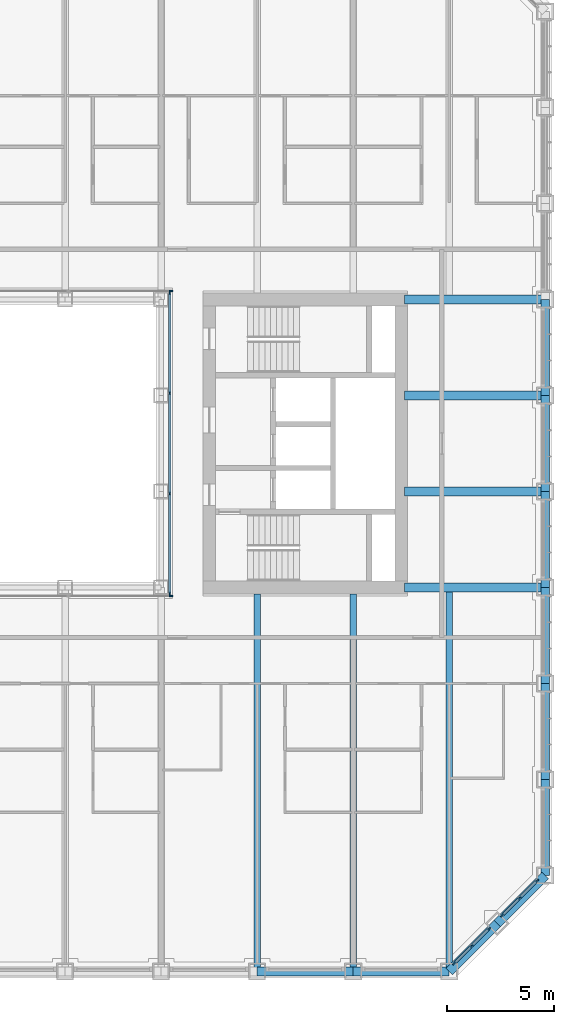
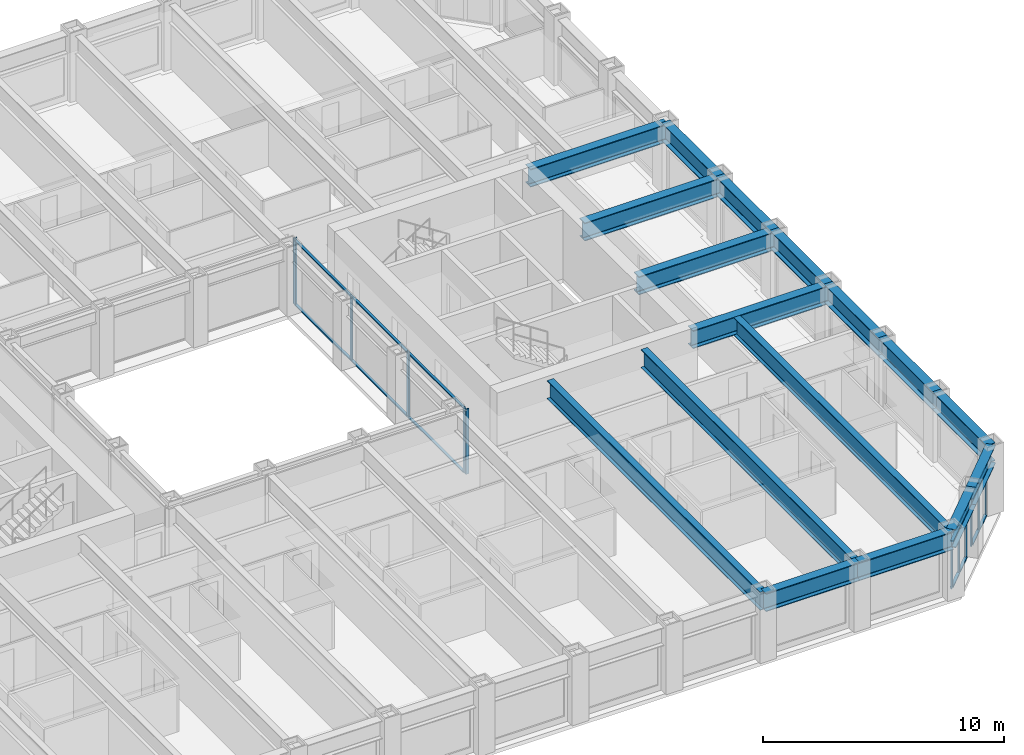
# One storey, part 5 of 21: 26 members, 17 beams, 5 elements without a shape of their own.
"""IFC4 building model written with IfcOpenShell, lengths in metres."""

from ifc_helpers import new_model, si_unit, direction, frame, origin, origin_2d, place, context, subcontext, project, spatial, rectangle, i_section, extrude, material, material_profile, profile_set, type_object, element, aggregate, save


model = new_model("IFC4")

# Units and contexts
model_context = context("Model", 3, precision=1e-05, world=origin(), true_north=direction((0.0, 1.0)))
body_context = subcontext(model_context, "Body", "Model", "MODEL_VIEW")
ifc_project = project(units=[si_unit("LENGTHUNIT", "METRE"), si_unit("AREAUNIT", "SQUARE_METRE"), si_unit("VOLUMEUNIT", "CUBIC_METRE"), si_unit("PLANEANGLEUNIT", "RADIAN"), si_unit("MASSUNIT", "GRAM", prefix="KILO")], contexts=[model_context])

# Site, building, storey
site_placement = place(None, origin())
site = spatial("IfcSite", under=ifc_project, at=site_placement, CompositionType="ELEMENT")
building_placement = place(site_placement, origin())
building = spatial("IfcBuilding", under=site, at=building_placement, Name="Msasa Ring Tower", CompositionType="ELEMENT")
storey_placement = place(building_placement, frame((0.0, 0.0, 51.0)))
storey = spatial("IfcBuildingStorey", under=building, at=storey_placement, Name="L12", CompositionType="ELEMENT", Elevation=51.0)

# Curtain wall, members
ifc_material_1 = material(Name="Aluminium curtain wall with clear glass", Category="aluminium")
curtain_wall_type_1 = type_object("IfcCurtainWallType", Name="CW-C CHAMFER CORNER CURTAIN WALL", PredefinedType="NOTDEFINED", material=ifc_material_1)
curtain_wall_1_placement = place(storey_placement, origin())
curtain_wall_1 = element("IfcCurtainWall", 1, at=curtain_wall_1_placement, inside=storey, type_object=curtain_wall_type_1, Name="Chamfer corner curtain wall SE L12", PredefinedType="NOTDEFINED")
ifc_material_2 = material(Name="Aluminium mullion", Category="aluminium")
ifc_material_profile_1 = material_profile(ifc_material_2, rectangle(XDim=0.06494140625, YDim=0.179931640625, at=origin_2d()), Name="AL 65x180")
ifc_profile_set_1 = profile_set([ifc_material_profile_1], Name="Aluminium mullion")
member_type_1 = type_object("IfcMemberType", Name="CW-C MULLION 65x180", PredefinedType="MULLION", material=ifc_profile_set_1)
member_1_placement = place(storey_placement, frame((20.48876953125, -24.369873046875, 0.0), z_axis=(0.0, 0.0, 1.0), x_axis=(-0.707106781187, 0.707106781187, 0.0)))
member_1 = element("IfcMember", 2, at=member_1_placement, type_object=member_type_1, Name="CW-C mullion 1", PredefinedType="MULLION", context=body_context, shape_type="SweptSolid", body=[
    extrude(rectangle(XDim=0.06494140625, YDim=0.179931640625, at=origin_2d()), origin(), (0.0, 0.0, 1.0), 2.37890625),
])
member_2_placement = place(storey_placement, frame((21.30419921875, -23.55419921875, 0.0), z_axis=(0.0, 0.0, 1.0), x_axis=(-0.707106781187, 0.707106781187, 0.0)))
member_2 = element("IfcMember", 3, at=member_2_placement, type_object=member_type_1, Name="CW-C mullion 2", PredefinedType="MULLION", context=body_context, shape_type="SweptSolid", body=[
    extrude(rectangle(XDim=0.06494140625, YDim=0.179931640625, at=origin_2d()), origin(), (0.0, 0.0, 1.0), 2.37890625),
])
member_3_placement = place(storey_placement, frame((22.119873046875, -22.73876953125, 0.0), z_axis=(0.0, 0.0, 1.0), x_axis=(-0.707106781187, 0.707106781187, 0.0)))
member_3 = element("IfcMember", 4, at=member_3_placement, type_object=member_type_1, Name="CW-C mullion 3", PredefinedType="MULLION", context=body_context, shape_type="SweptSolid", body=[
    extrude(rectangle(XDim=0.06494140625, YDim=0.179931640625, at=origin_2d()), origin(), (0.0, 0.0, 1.0), 2.37890625),
])

curtain_wall_2_placement = place(storey_placement, origin())
curtain_wall_2 = element("IfcCurtainWall", 5, at=curtain_wall_2_placement, inside=storey, type_object=curtain_wall_type_1, Name="Chamfer corner curtain wall SE L12", PredefinedType="NOTDEFINED")
member_4_placement = place(storey_placement, frame((22.73876953125, -22.119873046875, 0.0), z_axis=(0.0, 0.0, 1.0), x_axis=(-0.707106781187, 0.707106781187, 0.0)))
member_4 = element("IfcMember", 6, at=member_4_placement, type_object=member_type_1, Name="CW-C mullion 1", PredefinedType="MULLION", context=body_context, shape_type="SweptSolid", body=[
    extrude(rectangle(XDim=0.06494140625, YDim=0.179931640625, at=origin_2d()), origin(), (0.0, 0.0, 1.0), 2.37890625),
])
member_5_placement = place(storey_placement, frame((23.55419921875, -21.30419921875, 0.0), z_axis=(0.0, 0.0, 1.0), x_axis=(-0.707106781187, 0.707106781187, 0.0)))
member_5 = element("IfcMember", 7, at=member_5_placement, type_object=member_type_1, Name="CW-C mullion 2", PredefinedType="MULLION", context=body_context, shape_type="SweptSolid", body=[
    extrude(rectangle(XDim=0.06494140625, YDim=0.179931640625, at=origin_2d()), origin(), (0.0, 0.0, 1.0), 2.37890625),
])
member_6_placement = place(storey_placement, frame((24.369873046875, -20.48876953125, 0.0), z_axis=(0.0, 0.0, 1.0), x_axis=(-0.707106781187, 0.707106781187, 0.0)))
member_6 = element("IfcMember", 8, at=member_6_placement, type_object=member_type_1, Name="CW-C mullion 3", PredefinedType="MULLION", context=body_context, shape_type="SweptSolid", body=[
    extrude(rectangle(XDim=0.06494140625, YDim=0.179931640625, at=origin_2d()), origin(), (0.0, 0.0, 1.0), 2.37890625),
])

# Member
ifc_material_3 = material(Name="Aluminium transom", Category="aluminium")
ifc_material_profile_2 = material_profile(ifc_material_3, rectangle(XDim=0.139892578125, YDim=0.06494140625, at=origin_2d()), Name="AL 65x140")
ifc_profile_set_2 = profile_set([ifc_material_profile_2], Name="Aluminium transom")
member_type_2 = type_object("IfcMemberType", Name="CW-C TRANSOM 65x140", PredefinedType="USERDEFINED", material=ifc_profile_set_2)
member_7_placement = place(storey_placement, frame((20.51171875, -24.346923828125, 0.032470703125), z_axis=(0.707106781187, 0.707106781187, 0.0), x_axis=(-0.707106781187, 0.707106781187, 0.0)))
member_7 = element("IfcMember", 9, at=member_7_placement, type_object=member_type_2, Name="CW-C transom 1.1", ObjectType="TRANSOM", PredefinedType="USERDEFINED", context=body_context, shape_type="SweptSolid", body=[
    extrude(rectangle(XDim=0.139892578125, YDim=0.06494140625, at=origin_2d()), origin(), (0.0, 0.0, 1.0), 1.08837890625),
])

member_8_placement = place(storey_placement, frame((20.51171875, -24.346923828125, 2.346435546875), z_axis=(0.707106781187, 0.707106781187, 0.0), x_axis=(-0.707106781187, 0.707106781187, 0.0)))
member_8 = element("IfcMember", 10, at=member_8_placement, type_object=member_type_2, Name="CW-C transom 1.2", ObjectType="TRANSOM", PredefinedType="USERDEFINED", context=body_context, shape_type="SweptSolid", body=[
    extrude(rectangle(XDim=0.139892578125, YDim=0.06494140625, at=origin_2d()), origin(), (0.0, 0.0, 1.0), 1.08837890625),
])

member_9_placement = place(storey_placement, frame((21.327392578125, -23.53125, 0.032470703125), z_axis=(0.707106781187, 0.707106781187, 0.0), x_axis=(-0.707106781187, 0.707106781187, 0.0)))
member_9 = element("IfcMember", 11, at=member_9_placement, type_object=member_type_2, Name="CW-C transom 2.1", ObjectType="TRANSOM", PredefinedType="USERDEFINED", context=body_context, shape_type="SweptSolid", body=[
    extrude(rectangle(XDim=0.139892578125, YDim=0.06494140625, at=origin_2d()), origin(), (0.0, 0.0, 1.0), 1.08837890625),
])

member_10_placement = place(storey_placement, frame((21.327392578125, -23.53125, 2.346435546875), z_axis=(0.707106781187, 0.707106781187, 0.0), x_axis=(-0.707106781187, 0.707106781187, 0.0)))
member_10 = element("IfcMember", 12, at=member_10_placement, type_object=member_type_2, Name="CW-C transom 2.2", ObjectType="TRANSOM", PredefinedType="USERDEFINED", context=body_context, shape_type="SweptSolid", body=[
    extrude(rectangle(XDim=0.139892578125, YDim=0.06494140625, at=origin_2d()), origin(), (0.0, 0.0, 1.0), 1.08837890625),
])

aggregate(curtain_wall_1, [member_1, member_2, member_3, member_7, member_8, member_9, member_10])

member_11_placement = place(storey_placement, frame((22.76171875, -22.096923828125, 0.032470703125), z_axis=(0.707106781187, 0.707106781187, 0.0), x_axis=(-0.707106781187, 0.707106781187, 0.0)))
member_11 = element("IfcMember", 13, at=member_11_placement, type_object=member_type_2, Name="CW-C transom 1.1", ObjectType="TRANSOM", PredefinedType="USERDEFINED", context=body_context, shape_type="SweptSolid", body=[
    extrude(rectangle(XDim=0.139892578125, YDim=0.06494140625, at=origin_2d()), origin(), (0.0, 0.0, 1.0), 1.08837890625),
])

member_12_placement = place(storey_placement, frame((22.76171875, -22.096923828125, 2.346435546875), z_axis=(0.707106781187, 0.707106781187, 0.0), x_axis=(-0.707106781187, 0.707106781187, 0.0)))
member_12 = element("IfcMember", 14, at=member_12_placement, type_object=member_type_2, Name="CW-C transom 1.2", ObjectType="TRANSOM", PredefinedType="USERDEFINED", context=body_context, shape_type="SweptSolid", body=[
    extrude(rectangle(XDim=0.139892578125, YDim=0.06494140625, at=origin_2d()), origin(), (0.0, 0.0, 1.0), 1.08837890625),
])

member_13_placement = place(storey_placement, frame((23.577392578125, -21.28125, 0.032470703125), z_axis=(0.707106781187, 0.707106781187, 0.0), x_axis=(-0.707106781187, 0.707106781187, 0.0)))
member_13 = element("IfcMember", 15, at=member_13_placement, type_object=member_type_2, Name="CW-C transom 2.1", ObjectType="TRANSOM", PredefinedType="USERDEFINED", context=body_context, shape_type="SweptSolid", body=[
    extrude(rectangle(XDim=0.139892578125, YDim=0.06494140625, at=origin_2d()), origin(), (0.0, 0.0, 1.0), 1.08837890625),
])

member_14_placement = place(storey_placement, frame((23.577392578125, -21.28125, 2.346435546875), z_axis=(0.707106781187, 0.707106781187, 0.0), x_axis=(-0.707106781187, 0.707106781187, 0.0)))
member_14 = element("IfcMember", 16, at=member_14_placement, type_object=member_type_2, Name="CW-C transom 2.2", ObjectType="TRANSOM", PredefinedType="USERDEFINED", context=body_context, shape_type="SweptSolid", body=[
    extrude(rectangle(XDim=0.139892578125, YDim=0.06494140625, at=origin_2d()), origin(), (0.0, 0.0, 1.0), 1.08837890625),
])

aggregate(curtain_wall_2, [member_4, member_5, member_6, member_11, member_12, member_13, member_14])

# Curtain wall, member
ifc_material_4 = material(Name="Aluminium curtain wall with clear glass", Category="aluminium")
curtain_wall_type_2 = type_object("IfcCurtainWallType", Name="CW-W LIGHT WELL CURTAIN WALL", PredefinedType="NOTDEFINED", material=ifc_material_4)
curtain_wall_3_placement = place(storey_placement, origin())
curtain_wall_3 = element("IfcCurtainWall", 17, at=curtain_wall_3_placement, inside=storey, type_object=curtain_wall_type_2, Name="Light well curtain wall N L12", PredefinedType="NOTDEFINED")
ifc_material_5 = material(Name="Aluminium mullion", Category="aluminium")
ifc_material_profile_3 = material_profile(ifc_material_5, rectangle(XDim=0.06005859375, YDim=0.159912109375, at=origin_2d()), Name="AL 60x160")
ifc_profile_set_3 = profile_set([ifc_material_profile_3], Name="Aluminium mullion")
member_type_3 = type_object("IfcMemberType", Name="CW-W MULLION 60x160", PredefinedType="MULLION", material=ifc_profile_set_3)
member_15_placement = place(storey_placement, frame((7.199951171875, 7.14990234375, 0.0), z_axis=(0.0, 0.0, 1.0), x_axis=(0.0, 1.0, 0.0)))
member_15 = element("IfcMember", 18, at=member_15_placement, type_object=member_type_3, Name="CW-W mullion 4", PredefinedType="MULLION", context=body_context, shape_type="SweptSolid", body=[
    extrude(rectangle(XDim=0.06005859375, YDim=0.159912109375, at=origin_2d()), origin(), (0.0, 0.0, 1.0), 3.300048828125),
])
aggregate(curtain_wall_3, [member_15])

curtain_wall_4_placement = place(storey_placement, origin())
curtain_wall_4 = element("IfcCurtainWall", 19, at=curtain_wall_4_placement, inside=storey, type_object=curtain_wall_type_2, Name="Light well curtain wall S L12", PredefinedType="NOTDEFINED")
member_16_placement = place(storey_placement, frame((7.199951171875, -7.14990234375, 0.0), z_axis=(0.0, 0.0, 1.0), x_axis=(0.0, 1.0, 0.0)))
member_16 = element("IfcMember", 20, at=member_16_placement, type_object=member_type_3, Name="CW-W mullion 4", PredefinedType="MULLION", context=body_context, shape_type="SweptSolid", body=[
    extrude(rectangle(XDim=0.06005859375, YDim=0.159912109375, at=origin_2d()), origin(), (0.0, 0.0, 1.0), 3.300048828125),
])
aggregate(curtain_wall_4, [member_16])

# Curtain wall, members
curtain_wall_5_placement = place(storey_placement, origin())
curtain_wall_5 = element("IfcCurtainWall", 21, at=curtain_wall_5_placement, inside=storey, type_object=curtain_wall_type_2, Name="Light well curtain wall E L12", PredefinedType="NOTDEFINED")
member_17_placement = place(storey_placement, frame((7.14990234375, -7.0400390625, 0.0), z_axis=(0.0, 0.0, 1.0), x_axis=(-1.0, 0.0, 0.0)))
member_17 = element("IfcMember", 22, at=member_17_placement, type_object=member_type_3, Name="CW-W mullion 1", PredefinedType="MULLION", context=body_context, shape_type="SweptSolid", body=[
    extrude(rectangle(XDim=0.06005859375, YDim=0.159912109375, at=origin_2d()), origin(), (0.0, 0.0, 1.0), 3.300048828125),
])
member_18_placement = place(storey_placement, frame((7.14990234375, -2.356689453125, 0.0), z_axis=(0.0, 0.0, 1.0), x_axis=(-1.0, 0.0, 0.0)))
member_18 = element("IfcMember", 23, at=member_18_placement, type_object=member_type_3, Name="CW-W mullion 2", PredefinedType="MULLION", context=body_context, shape_type="SweptSolid", body=[
    extrude(rectangle(XDim=0.06005859375, YDim=0.159912109375, at=origin_2d()), origin(), (0.0, 0.0, 1.0), 3.300048828125),
])
member_19_placement = place(storey_placement, frame((7.14990234375, 2.356689453125, 0.0), z_axis=(0.0, 0.0, 1.0), x_axis=(-1.0, 0.0, 0.0)))
member_19 = element("IfcMember", 24, at=member_19_placement, type_object=member_type_3, Name="CW-W mullion 3", PredefinedType="MULLION", context=body_context, shape_type="SweptSolid", body=[
    extrude(rectangle(XDim=0.06005859375, YDim=0.159912109375, at=origin_2d()), origin(), (0.0, 0.0, 1.0), 3.300048828125),
])
member_20_placement = place(storey_placement, frame((7.14990234375, 7.0400390625, 0.0), z_axis=(0.0, 0.0, 1.0), x_axis=(-1.0, 0.0, 0.0)))
member_20 = element("IfcMember", 25, at=member_20_placement, type_object=member_type_3, Name="CW-W mullion 4", PredefinedType="MULLION", context=body_context, shape_type="SweptSolid", body=[
    extrude(rectangle(XDim=0.06005859375, YDim=0.159912109375, at=origin_2d()), origin(), (0.0, 0.0, 1.0), 3.300048828125),
])
ifc_material_6 = material(Name="Aluminium transom", Category="aluminium")
ifc_material_profile_4 = material_profile(ifc_material_6, rectangle(XDim=0.1201171875, YDim=0.06005859375, at=origin_2d()), Name="AL 60x120")
ifc_profile_set_4 = profile_set([ifc_material_profile_4], Name="Aluminium transom")
member_type_4 = type_object("IfcMemberType", Name="CW-W TRANSOM 60x120", PredefinedType="USERDEFINED", material=ifc_profile_set_4)
member_21_placement = place(storey_placement, frame((7.14990234375, -7.010009765625, 0.030029296875), z_axis=(0.0, 1.0, 0.0), x_axis=(-1.0, 0.0, 0.0)))
member_21 = element("IfcMember", 26, at=member_21_placement, type_object=member_type_4, Name="CW-W transom 1.1", ObjectType="TRANSOM", PredefinedType="USERDEFINED", context=body_context, shape_type="SweptSolid", body=[
    extrude(rectangle(XDim=0.1201171875, YDim=0.06005859375, at=origin_2d()), origin(), (0.0, 0.0, 1.0), 4.623291015625),
])
member_22_placement = place(storey_placement, frame((7.14990234375, -7.010009765625, 3.27001953125), z_axis=(0.0, 1.0, 0.0), x_axis=(-1.0, 0.0, 0.0)))
member_22 = element("IfcMember", 27, at=member_22_placement, type_object=member_type_4, Name="CW-W transom 1.2", ObjectType="TRANSOM", PredefinedType="USERDEFINED", context=body_context, shape_type="SweptSolid", body=[
    extrude(rectangle(XDim=0.1201171875, YDim=0.06005859375, at=origin_2d()), origin(), (0.0, 0.0, 1.0), 4.623291015625),
])
member_23_placement = place(storey_placement, frame((7.14990234375, -2.32666015625, 0.030029296875), z_axis=(0.0, 1.0, 0.0), x_axis=(-1.0, 0.0, 0.0)))
member_23 = element("IfcMember", 28, at=member_23_placement, type_object=member_type_4, Name="CW-W transom 2.1", ObjectType="TRANSOM", PredefinedType="USERDEFINED", context=body_context, shape_type="SweptSolid", body=[
    extrude(rectangle(XDim=0.1201171875, YDim=0.06005859375, at=origin_2d()), origin(), (0.0, 0.0, 1.0), 4.6533203125),
])
member_24_placement = place(storey_placement, frame((7.14990234375, -2.32666015625, 3.27001953125), z_axis=(0.0, 1.0, 0.0), x_axis=(-1.0, 0.0, 0.0)))
member_24 = element("IfcMember", 29, at=member_24_placement, type_object=member_type_4, Name="CW-W transom 2.2", ObjectType="TRANSOM", PredefinedType="USERDEFINED", context=body_context, shape_type="SweptSolid", body=[
    extrude(rectangle(XDim=0.1201171875, YDim=0.06005859375, at=origin_2d()), origin(), (0.0, 0.0, 1.0), 4.6533203125),
])
member_25_placement = place(storey_placement, frame((7.14990234375, 2.38671875, 0.030029296875), z_axis=(0.0, 1.0, 0.0), x_axis=(-1.0, 0.0, 0.0)))
member_25 = element("IfcMember", 30, at=member_25_placement, type_object=member_type_4, Name="CW-W transom 3.1", ObjectType="TRANSOM", PredefinedType="USERDEFINED", context=body_context, shape_type="SweptSolid", body=[
    extrude(rectangle(XDim=0.1201171875, YDim=0.06005859375, at=origin_2d()), origin(), (0.0, 0.0, 1.0), 4.623291015625),
])
member_26_placement = place(storey_placement, frame((7.14990234375, 2.38671875, 3.27001953125), z_axis=(0.0, 1.0, 0.0), x_axis=(-1.0, 0.0, 0.0)))
member_26 = element("IfcMember", 31, at=member_26_placement, type_object=member_type_4, Name="CW-W transom 3.2", ObjectType="TRANSOM", PredefinedType="USERDEFINED", context=body_context, shape_type="SweptSolid", body=[
    extrude(rectangle(XDim=0.1201171875, YDim=0.06005859375, at=origin_2d()), origin(), (0.0, 0.0, 1.0), 4.623291015625),
])
aggregate(curtain_wall_5, [member_17, member_18, member_19, member_20, member_21, member_22, member_23, member_24, member_25, member_26])

# Beams
ifc_material_7 = material(Name="Steel S355", Category="steel")
ifc_material_profile_5 = material_profile(ifc_material_7, i_section(OverallWidth=0.42041015625, OverallDepth=0.9208984375, WebThickness=0.021484375, FlangeThickness=0.03662109375, FilletRadius=0.024169921875, at=origin_2d()), Name="UB 914x419x388")
ifc_profile_set_5 = profile_set([ifc_material_profile_5], Name="Steel S355")
beam_type_1 = type_object("IfcBeamType", Name="FB2 UB 914x419x388", PredefinedType="BEAM", material=ifc_profile_set_5)
for number, where, z_axis, x_axis, name in (
    (32, (24.75, -2.25, 2.839599609375), (-1.0, 0.0, 0.0), (0.0, -1.0, 0.0), "Floor beam E -2.25 under L13"),
    (33, (24.75, 2.25, 2.839599609375), (-1.0, 0.0, 0.0), (0.0, -1.0, 0.0), "Floor beam E +2.25 under L13"),
):
    element("IfcBeam", number, at=place(storey_placement, frame(where, z_axis=z_axis, x_axis=x_axis)), inside=storey, type_object=beam_type_1, Name=name, PredefinedType="BEAM", context=body_context, shape_type="SweptSolid", body=[
        extrude(i_section(OverallWidth=0.42041015625, OverallDepth=0.9208984375, WebThickness=0.021484375, FlangeThickness=0.03662109375, FilletRadius=0.024169921875, at=origin_2d()), origin(), (0.0, 0.0, 1.0), 6.60009765625),
    ])
ifc_material_8 = material(Name="Steel S355", Category="steel")
ifc_material_profile_6 = material_profile(ifc_material_8, i_section(OverallWidth=0.3076171875, OverallDepth=0.926513671875, WebThickness=0.01953125, FlangeThickness=0.031982421875, FilletRadius=0.01904296875, at=origin_2d()), Name="UB 914x305x289")
ifc_profile_set_6 = profile_set([ifc_material_profile_6], Name="Steel S355")
beam_type_2 = type_object("IfcBeamType", Name="FB3 UB 914x305x289", PredefinedType="BEAM", material=ifc_profile_set_6)
for number, where, z_axis, x_axis, name in (
    (34, (11.25, -24.75, 2.836669921875), (0.0, 1.0, 0.0), (-1.0, 0.0, 0.0), "Floor beam S+11.25 under L13"),
    (35, (15.75, -24.75, 2.836669921875), (0.0, 1.0, 0.0), (-1.0, 0.0, 0.0), "Floor beam S+15.75 under L13"),
):
    element("IfcBeam", number, at=place(storey_placement, frame(where, z_axis=z_axis, x_axis=x_axis)), inside=storey, type_object=beam_type_2, Name=name, PredefinedType="BEAM", context=body_context, shape_type="SweptSolid", body=[
        extrude(i_section(OverallWidth=0.3076171875, OverallDepth=0.926513671875, WebThickness=0.01953125, FlangeThickness=0.031982421875, FilletRadius=0.01904296875, at=origin_2d()), origin(), (0.0, 0.0, 1.0), 17.699951171875),
    ])
beam_placement = place(storey_placement, frame((20.25, -24.75, 2.836669921875), z_axis=(0.0, 1.0, 0.0), x_axis=(-1.0, 0.0, 0.0)))
element("IfcBeam", 36, at=beam_placement, inside=storey, type_object=beam_type_2, Name="Floor beam S+20.25 under L13", PredefinedType="BEAM", context=body_context, shape_type="SweptSolid", body=[
    extrude(i_section(OverallWidth=0.3076171875, OverallDepth=0.926513671875, WebThickness=0.01953125, FlangeThickness=0.031982421875, FilletRadius=0.01904296875, at=origin_2d()), origin(), (0.0, 0.0, 1.0), 17.789794921875),
])
ifc_material_9 = material(Name="Steel S355", Category="steel")
ifc_material_profile_7 = material_profile(ifc_material_9, i_section(OverallWidth=0.42041015625, OverallDepth=0.9208984375, WebThickness=0.021484375, FlangeThickness=0.03662109375, FilletRadius=0.024169921875, at=origin_2d()), Name="UB 914x419x388")
ifc_profile_set_7 = profile_set([ifc_material_profile_7], Name="Steel S355")
beam_type_3 = type_object("IfcBeamType", Name="GB1 UB 914x419x388", PredefinedType="BEAM", material=ifc_profile_set_7)
for number, where, z_axis, x_axis, name in (
    (37, (18.14990234375, 6.75, 2.839599609375), (1.0, 0.0, 0.0), (0.0, 1.0, 0.0), "Girder E +6.75 under L13"),
    (38, (18.14990234375, -6.75, 2.839599609375), (1.0, 0.0, 0.0), (0.0, 1.0, 0.0), "Girder E -6.75 under L13"),
):
    element("IfcBeam", number, at=place(storey_placement, frame(where, z_axis=z_axis, x_axis=x_axis)), inside=storey, type_object=beam_type_3, Name=name, PredefinedType="BEAM", context=body_context, shape_type="SweptSolid", body=[
        extrude(i_section(OverallWidth=0.42041015625, OverallDepth=0.9208984375, WebThickness=0.021484375, FlangeThickness=0.03662109375, FilletRadius=0.024169921875, at=origin_2d()), origin(), (0.0, 0.0, 1.0), 6.60009765625),
    ])
ifc_material_10 = material(Name="Steel S355", Category="steel")
ifc_material_profile_8 = material_profile(ifc_material_10, i_section(OverallWidth=0.42041015625, OverallDepth=0.9208984375, WebThickness=0.021484375, FlangeThickness=0.03662109375, FilletRadius=0.024169921875, at=origin_2d()), Name="UB 914x419x388")
ifc_profile_set_8 = profile_set([ifc_material_profile_8], Name="Steel S355")
beam_type_4 = type_object("IfcBeamType", Name="SB1 UB 914x419x388", PredefinedType="SPANDREL", material=ifc_profile_set_8)
for number, where, z_axis, x_axis, name in (
    (39, (11.25, -24.75, 2.839599609375), (1.0, 0.0, 0.0), (0.0, 1.0, 0.0), "Spandrel S+11.25 to S+15.75 under L13"),
    (40, (15.75, -24.75, 2.839599609375), (1.0, 0.0, 0.0), (0.0, 1.0, 0.0), "Spandrel S+15.75 to S+20.25 under L13"),
):
    element("IfcBeam", number, at=place(storey_placement, frame(where, z_axis=z_axis, x_axis=x_axis)), inside=storey, type_object=beam_type_4, Name=name, PredefinedType="SPANDREL", context=body_context, shape_type="SweptSolid", body=[
        extrude(i_section(OverallWidth=0.42041015625, OverallDepth=0.9208984375, WebThickness=0.021484375, FlangeThickness=0.03662109375, FilletRadius=0.024169921875, at=origin_2d()), origin(), (0.0, 0.0, 1.0), 4.5),
    ])
for number, where, z_axis, x_axis, name in (
    (41, (20.25, -24.75, 2.839599609375), (0.707106781187, 0.707106781187, 0.0), (-0.707106781187, 0.707106781187, 0.0), "Spandrel S+20.25 to SE under L13"),
    (42, (22.5, -22.5, 2.839599609375), (0.707106781187, 0.707106781187, 0.0), (-0.707106781187, 0.707106781187, 0.0), "Spandrel SE to E-20.25 under L13"),
):
    element("IfcBeam", number, at=place(storey_placement, frame(where, z_axis=z_axis, x_axis=x_axis)), inside=storey, type_object=beam_type_4, Name=name, PredefinedType="SPANDREL", context=body_context, shape_type="SweptSolid", body=[
        extrude(i_section(OverallWidth=0.42041015625, OverallDepth=0.9208984375, WebThickness=0.021484375, FlangeThickness=0.03662109375, FilletRadius=0.024169921875, at=origin_2d()), origin(), (0.0, 0.0, 1.0), 3.181884765625),
    ])
for number, where, z_axis, x_axis, name in (
    (43, (24.75, -20.25, 2.839599609375), (0.0, 1.0, 0.0), (-1.0, 0.0, 0.0), "Spandrel E-20.25 to E-15.75 under L13"),
    (44, (24.75, -15.75, 2.839599609375), (0.0, 1.0, 0.0), (-1.0, 0.0, 0.0), "Spandrel E-15.75 to E-11.25 under L13"),
    (45, (24.75, -11.25, 2.839599609375), (0.0, 1.0, 0.0), (-1.0, 0.0, 0.0), "Spandrel E-11.25 to E-6.75 under L13"),
    (46, (24.75, -6.75, 2.839599609375), (0.0, 1.0, 0.0), (-1.0, 0.0, 0.0), "Spandrel E-6.75 to E-2.25 under L13"),
    (47, (24.75, -2.25, 2.839599609375), (0.0, 1.0, 0.0), (-1.0, 0.0, 0.0), "Spandrel E-2.25 to E+2.25 under L13"),
    (48, (24.75, 2.25, 2.839599609375), (0.0, 1.0, 0.0), (-1.0, 0.0, 0.0), "Spandrel E+2.25 to E+6.75 under L13"),
):
    element("IfcBeam", number, at=place(storey_placement, frame(where, z_axis=z_axis, x_axis=x_axis)), inside=storey, type_object=beam_type_4, Name=name, PredefinedType="SPANDREL", context=body_context, shape_type="SweptSolid", body=[
        extrude(i_section(OverallWidth=0.42041015625, OverallDepth=0.9208984375, WebThickness=0.021484375, FlangeThickness=0.03662109375, FilletRadius=0.024169921875, at=origin_2d()), origin(), (0.0, 0.0, 1.0), 4.5),
    ])

save(model, "model.ifc")
